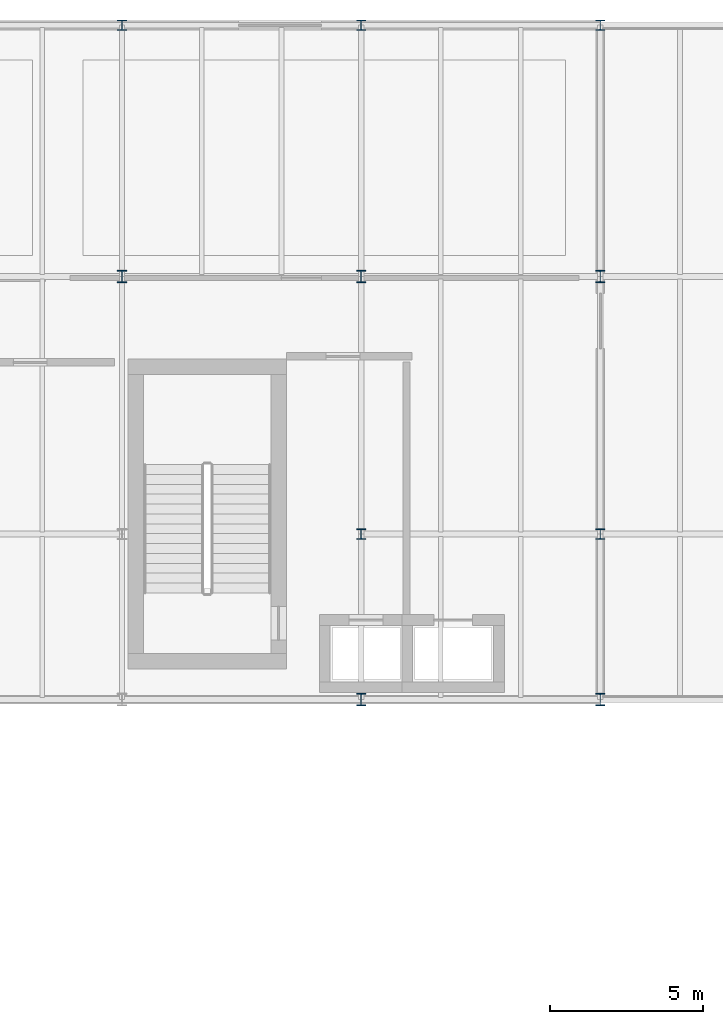
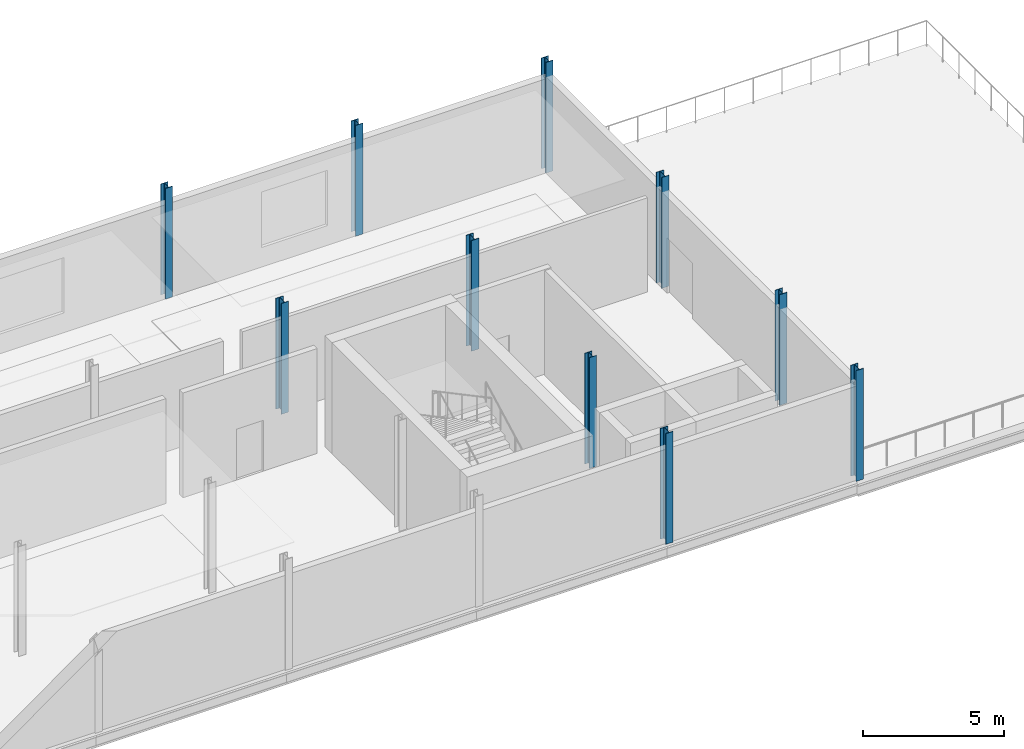
# One storey, part 3 of 15: 10 columns.
"""IFC4 building model written with IfcOpenShell, lengths in metres."""

from ifc_helpers import new_model, si_unit, direction, frame, origin, origin_2d, place, context, subcontext, project, spatial, i_section, extrude, material, material_profile, profile_set, type_object, element, save


model = new_model("IFC4")

# Units and contexts
model_context = context("Model", 3, precision=1e-05, world=origin(), true_north=direction((0.0, 1.0)))
body_context = subcontext(model_context, "Body", "Model", "MODEL_VIEW")
ifc_project = project(units=[si_unit("LENGTHUNIT", "METRE"), si_unit("AREAUNIT", "SQUARE_METRE"), si_unit("VOLUMEUNIT", "CUBIC_METRE"), si_unit("PLANEANGLEUNIT", "RADIAN"), si_unit("MASSUNIT", "GRAM", prefix="KILO")], contexts=[model_context])

# Site, building, storey
site_placement = place(None, origin())
site = spatial("IfcSite", under=ifc_project, at=site_placement, CompositionType="ELEMENT")
building_placement = place(site_placement, origin())
building = spatial("IfcBuilding", under=site, at=building_placement, Name="Sefraquen Railside Congress Hotel", CompositionType="ELEMENT")
storey_placement = place(building_placement, frame((0.0, 0.0, 46.800048828125)))
storey = spatial("IfcBuildingStorey", under=building, at=storey_placement, Name="L11", CompositionType="ELEMENT", Elevation=46.800048828125)

# Columns
ifc_material = material(Name="Steel S355JR", Category="steel")
ifc_material_profile_1 = material_profile(ifc_material, i_section(OverallWidth=0.300048828125, OverallDepth=0.340087890625, WebThickness=0.011962890625, FlangeThickness=0.021484375, FilletRadius=0.027099609375, at=origin_2d()), Name="HEB 340")
ifc_profile_set_1 = profile_set([ifc_material_profile_1], Name="Steel S355JR")
column_type_1 = type_object("IfcColumnType", Name="TC-HEB-340", PredefinedType="COLUMN", material=ifc_profile_set_1)
for number, where, z_axis, x_axis, name in (
    (1, (64.199951171875, 118.0, 0.0), (0.0, 0.0, 1.0), (1.0, 0.0, 0.0), "Structural column 9-Q L11"),
    (2, (72.0, 101.39990234375, 0.0), (0.0, 0.0, 1.0), (1.0, 0.0, 0.0), "Structural column 10-N L11"),
    (3, (72.0, 118.0, 0.0), (0.0, 0.0, 1.0), (1.0, 0.0, 0.0), "Structural column 10-Q L11"),
    (4, (79.800048828125, 101.39990234375, 0.0), (0.0, 0.0, 1.0), (1.0, 0.0, 0.0), "Structural column 11-N L11"),
    (5, (79.800048828125, 118.0, 0.0), (0.0, 0.0, 1.0), (1.0, 0.0, 0.0), "Structural column 11-Q L11"),
):
    element("IfcColumn", number, at=place(storey_placement, frame(where, z_axis=z_axis, x_axis=x_axis)), inside=storey, type_object=column_type_1, Name=name, PredefinedType="COLUMN", context=body_context, shape_type="SweptSolid", body=[
        extrude(i_section(OverallWidth=0.300048828125, OverallDepth=0.340087890625, WebThickness=0.011962890625, FlangeThickness=0.021484375, FilletRadius=0.027099609375, at=origin_2d()), origin(), (0.0, 0.0, 1.0), 4.800048828125),
    ])
ifc_material_profile_2 = material_profile(ifc_material, i_section(OverallWidth=0.300048828125, OverallDepth=0.39990234375, WebThickness=0.013427734375, FlangeThickness=0.02392578125, FilletRadius=0.027099609375, at=origin_2d()), Name="HEB 400")
ifc_profile_set_2 = profile_set([ifc_material_profile_2], Name="Steel S355JR")
column_type_2 = type_object("IfcColumnType", Name="TC-HEB-400", PredefinedType="COLUMN", material=ifc_profile_set_2)
for number, where, z_axis, x_axis, name in (
    (6, (64.199951171875, 109.800048828125, 0.0), (0.0, 0.0, 1.0), (1.0, 0.0, 0.0), "Structural column 9-P L11"),
    (7, (72.0, 96.0, 0.0), (0.0, 0.0, 1.0), (1.0, 0.0, 0.0), "Structural column 10-M L11"),
    (8, (72.0, 109.800048828125, 0.0), (0.0, 0.0, 1.0), (1.0, 0.0, 0.0), "Structural column 10-P L11"),
    (9, (79.800048828125, 96.0, 0.0), (0.0, 0.0, 1.0), (1.0, 0.0, 0.0), "Structural column 11-M L11"),
    (10, (79.800048828125, 109.800048828125, 0.0), (0.0, 0.0, 1.0), (1.0, 0.0, 0.0), "Structural column 11-P L11"),
):
    element("IfcColumn", number, at=place(storey_placement, frame(where, z_axis=z_axis, x_axis=x_axis)), inside=storey, type_object=column_type_2, Name=name, PredefinedType="COLUMN", context=body_context, shape_type="SweptSolid", body=[
        extrude(i_section(OverallWidth=0.300048828125, OverallDepth=0.39990234375, WebThickness=0.013427734375, FlangeThickness=0.02392578125, FilletRadius=0.027099609375, at=origin_2d()), origin(), (0.0, 0.0, 1.0), 4.800048828125),
    ])

save(model, "model.ifc")
